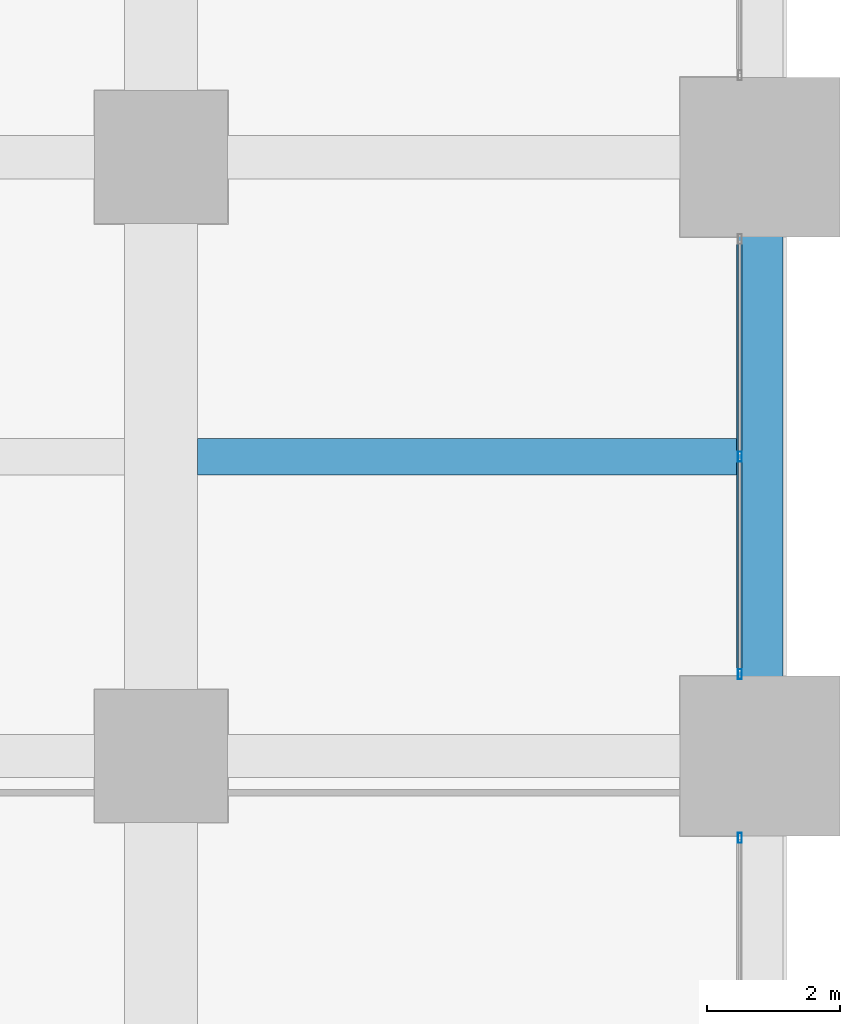
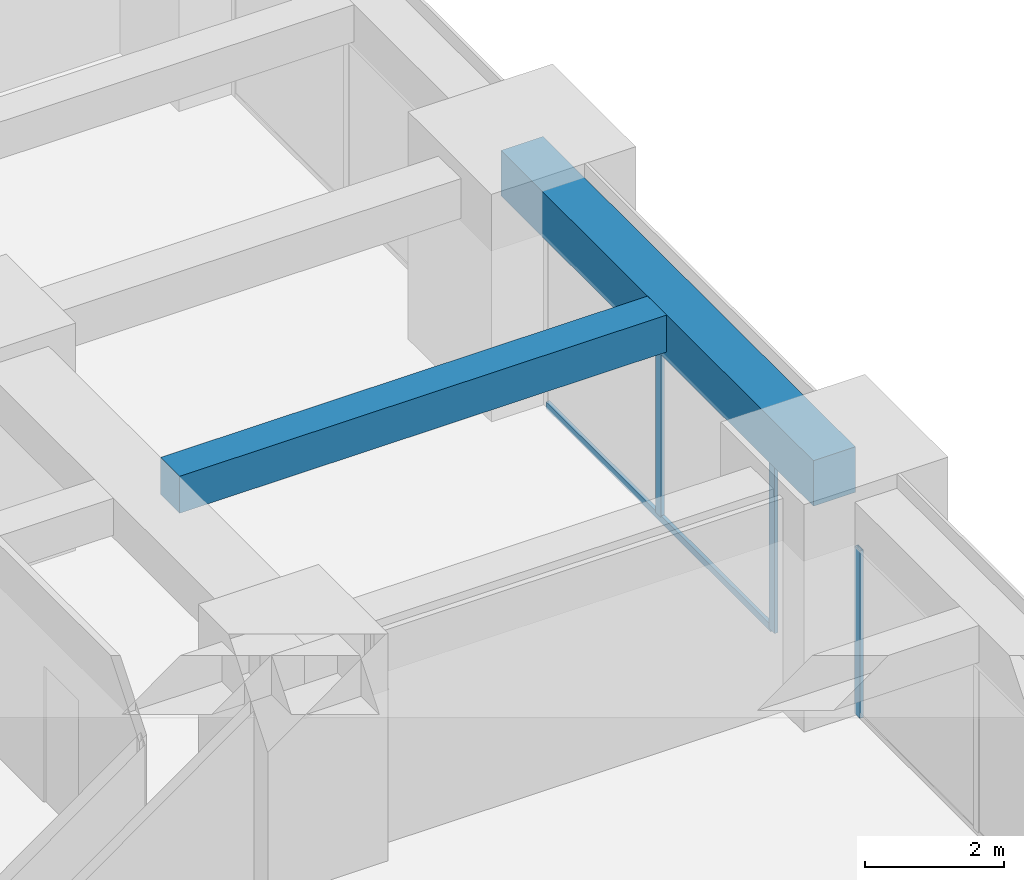
# One storey, part 21 of 39: 4 members, 2 beams, 2 elements without a shape of their own.
"""IFC4 building model written with IfcOpenShell, lengths in metres."""

from ifc_helpers import new_model, si_unit, direction, frame, origin, origin_2d, place, context, subcontext, project, spatial, rectangle, hollow_rectangle, extrude, material, material_profile, profile_set, type_object, element, aggregate, save


model = new_model("IFC4")

# Units and contexts
model_context = context("Model", 3, precision=1e-05, world=origin(), true_north=direction((0.0, 1.0)))
body_context = subcontext(model_context, "Body", "Model", "MODEL_VIEW")
ifc_project = project(units=[si_unit("LENGTHUNIT", "METRE"), si_unit("AREAUNIT", "SQUARE_METRE"), si_unit("VOLUMEUNIT", "CUBIC_METRE"), si_unit("PLANEANGLEUNIT", "RADIAN"), si_unit("MASSUNIT", "GRAM", prefix="KILO")], contexts=[model_context])

# Site, building, storey
site_placement = place(None, origin())
site = spatial("IfcSite", under=ifc_project, at=site_placement, CompositionType="ELEMENT")
building_placement = place(site_placement, origin())
building = spatial("IfcBuilding", under=site, at=building_placement, Name="Zorevar Civic Tower", CompositionType="ELEMENT")
storey_placement = place(building_placement, frame((0.0, 0.0, 117.0)))
storey = spatial("IfcBuildingStorey", under=building, at=storey_placement, Name="L28", CompositionType="ELEMENT", Elevation=117.0)

# Beam
ifc_material_1 = material(Name="Concrete C50/60", Category="concrete")
ifc_material_profile_1 = material_profile(ifc_material_1, rectangle(XDim=0.550048828125, YDim=0.64990234375, at=origin_2d()), Name="RC 550x650")
ifc_profile_set_1 = profile_set([ifc_material_profile_1], Name="Concrete C50/60")
beam_type_1 = type_object("IfcBeamType", Name="Beam RC 550x650", PredefinedType="BEAM", material=ifc_profile_set_1)
beam_1_placement = place(storey_placement, frame((54.550048828125, 22.5, 3.425048828125), z_axis=(1.0, 0.0, 0.0), x_axis=(0.0, 1.0, 0.0)))
element("IfcBeam", 1, at=beam_1_placement, inside=storey, type_object=beam_type_1, Name="Secondary beam L29", PredefinedType="BEAM", context=body_context, shape_type="SweptSolid", body=[
    extrude(rectangle(XDim=0.550048828125, YDim=0.64990234375, at=origin_2d()), origin(), (0.0, 0.0, 1.0), 8.099853515625),
])

# Curtain wall, member
ifc_material_2 = material(Name="Dark grey solar-control glass in black aluminium frame", Category="aluminium")
curtain_wall_type = type_object("IfcCurtainWallType", Name="Curtain wall CW3 mid zone", PredefinedType="NOTDEFINED", material=ifc_material_2)
curtain_wall_1_placement = place(storey_placement, origin())
curtain_wall_1 = element("IfcCurtainWall", 2, at=curtain_wall_1_placement, inside=storey, type_object=curtain_wall_type, Name="CW3 L28", PredefinedType="NOTDEFINED")
ifc_material_3 = material(Name="Aluminium, black anodised", Category="aluminium")
ifc_material_profile_2 = material_profile(ifc_material_3, hollow_rectangle(XDim=0.06005859375, YDim=0.14990234375, WallThickness=0.00390625, at=origin_2d()), Name="AL 150x60x4")
ifc_profile_set_2 = profile_set([ifc_material_profile_2], Name="Aluminium, black anodised")
member_type_1 = type_object("IfcMemberType", Name="CW3 mullion AL 150x60x4", PredefinedType="MULLION", material=ifc_profile_set_2)
member_1_placement = place(storey_placement, frame((62.699951171875, 16.77001953125, 0.0), z_axis=(0.0, 0.0, 1.0), x_axis=(-1.0, 0.0, 0.0)))
member_1 = element("IfcMember", 3, at=member_1_placement, type_object=member_type_1, Name="CW3 mullion 3", PredefinedType="MULLION", context=body_context, shape_type="SweptSolid", body=[
    extrude(hollow_rectangle(XDim=0.06005859375, YDim=0.14990234375, WallThickness=0.00390625, at=origin_2d()), origin(), (0.0, 0.0, 1.0), 2.949951171875),
])
aggregate(curtain_wall_1, [member_1])

# Curtain wall, members
curtain_wall_2_placement = place(storey_placement, origin())
curtain_wall_2 = element("IfcCurtainWall", 4, at=curtain_wall_2_placement, inside=storey, type_object=curtain_wall_type, Name="CW3 L28", PredefinedType="NOTDEFINED")
member_2_placement = place(storey_placement, frame((62.699951171875, 19.22998046875, 0.0), z_axis=(0.0, 0.0, 1.0), x_axis=(-1.0, 0.0, 0.0)))
member_2 = element("IfcMember", 5, at=member_2_placement, type_object=member_type_1, Name="CW3 mullion 1", PredefinedType="MULLION", context=body_context, shape_type="SweptSolid", body=[
    extrude(hollow_rectangle(XDim=0.06005859375, YDim=0.14990234375, WallThickness=0.00390625, at=origin_2d()), origin(), (0.0, 0.0, 1.0), 2.949951171875),
])
member_3_placement = place(storey_placement, frame((62.699951171875, 22.5, 0.06005859375), z_axis=(0.0, 0.0, 1.0), x_axis=(-1.0, 0.0, 0.0)))
member_3 = element("IfcMember", 6, at=member_3_placement, type_object=member_type_1, Name="CW3 mullion 2", PredefinedType="MULLION", context=body_context, shape_type="SweptSolid", body=[
    extrude(hollow_rectangle(XDim=0.06005859375, YDim=0.14990234375, WallThickness=0.00390625, at=origin_2d()), origin(), (0.0, 0.0, 1.0), 2.889892578125),
])
ifc_material_4 = material(Name="Aluminium, black anodised", Category="aluminium")
ifc_material_profile_3 = material_profile(ifc_material_4, hollow_rectangle(XDim=0.06005859375, YDim=0.1201171875, WallThickness=0.0029296875, at=origin_2d()), Name="AL 120x60x3")
ifc_profile_set_3 = profile_set([ifc_material_profile_3], Name="Aluminium, black anodised")
member_type_2 = type_object("IfcMemberType", Name="CW3 transom AL 120x60x3", PredefinedType="USERDEFINED", material=ifc_profile_set_3)
member_4_placement = place(storey_placement, frame((62.699951171875, 19.260009765625, 0.030029296875), z_axis=(0.0, 1.0, 0.0), x_axis=(-1.0, 0.0, 0.0)))
member_4 = element("IfcMember", 7, at=member_4_placement, type_object=member_type_2, Name="CW3 sill transom", ObjectType="TRANSOM", PredefinedType="USERDEFINED", context=body_context, shape_type="SweptSolid", body=[
    extrude(hollow_rectangle(XDim=0.06005859375, YDim=0.1201171875, WallThickness=0.0029296875, at=origin_2d()), origin(), (0.0, 0.0, 1.0), 6.47998046875),
])
aggregate(curtain_wall_2, [member_2, member_3, member_4])

# Beam
ifc_material_5 = material(Name="Concrete C50/60", Category="concrete")
ifc_material_profile_4 = material_profile(ifc_material_5, rectangle(XDim=0.699951171875, YDim=0.800048828125, at=origin_2d()), Name="RC 700x800")
ifc_profile_set_4 = profile_set([ifc_material_profile_4], Name="Concrete C50/60")
beam_type_2 = type_object("IfcBeamType", Name="Edge beam RC 700x800", PredefinedType="SPANDREL", material=ifc_profile_set_4)
beam_2_placement = place(storey_placement, frame((63.0, 18.0, 3.35009765625), z_axis=(0.0, 1.0, 0.0), x_axis=(-1.0, 0.0, 0.0)))
element("IfcBeam", 8, at=beam_2_placement, inside=storey, type_object=beam_type_2, Name="Edge beam L29", PredefinedType="SPANDREL", context=body_context, shape_type="SweptSolid", body=[
    extrude(rectangle(XDim=0.699951171875, YDim=0.800048828125, at=origin_2d()), origin(), (0.0, 0.0, 1.0), 9.0),
])

save(model, "model.ifc")
